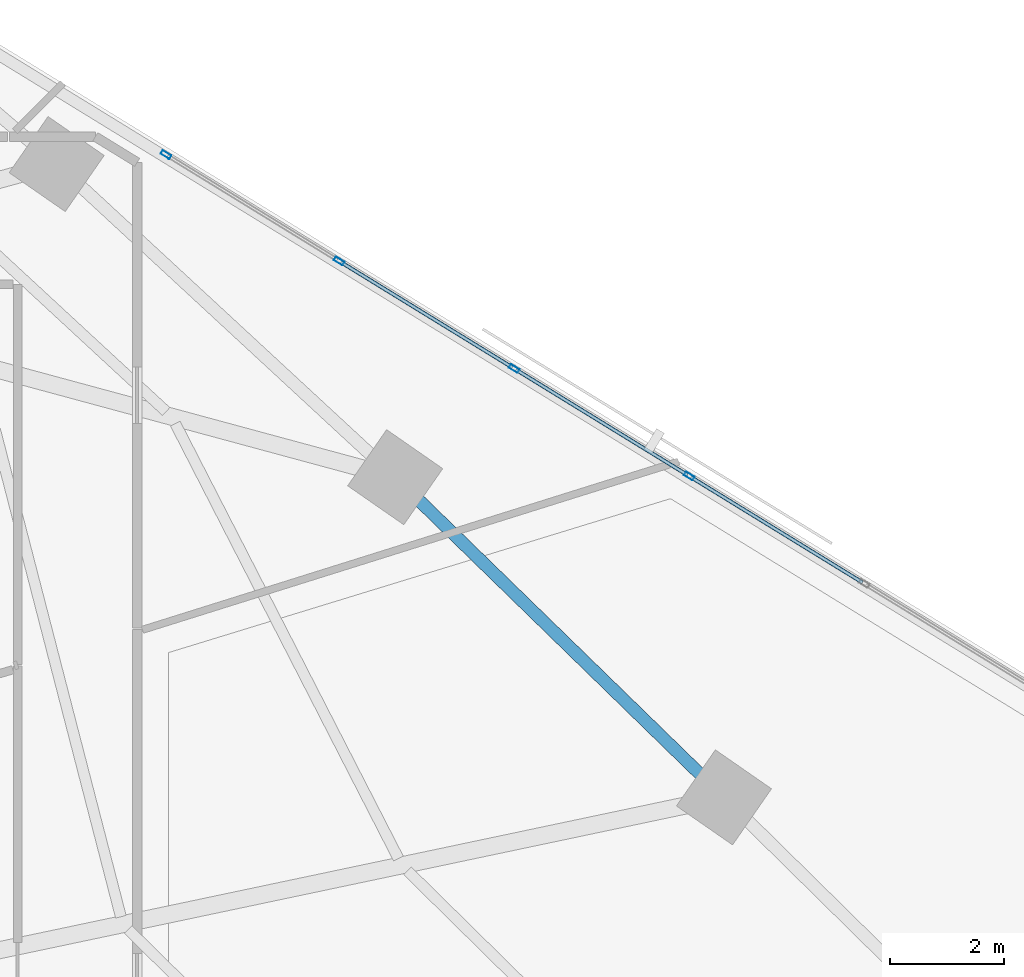
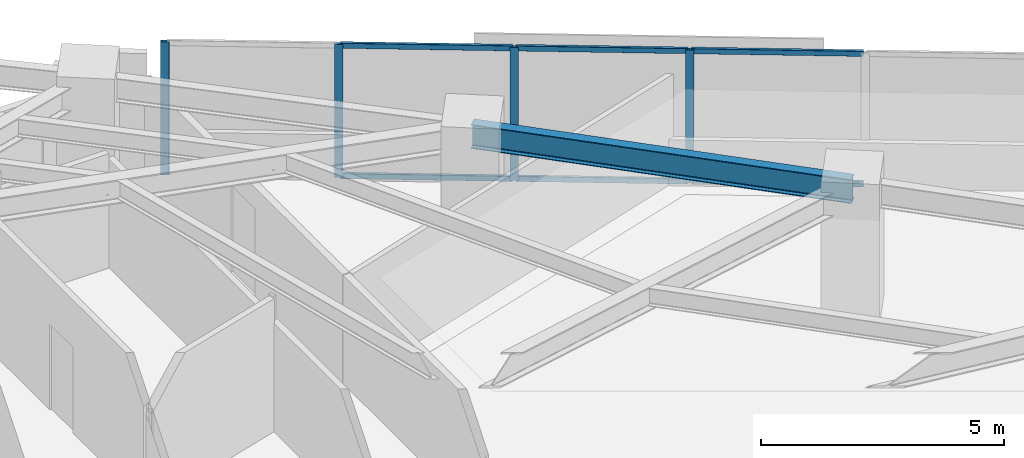
# One storey, part 6 of 19: 10 members, 1 beam, 1 element without a shape of its own.
"""IFC4 building model written with IfcOpenShell, lengths in metres."""

from ifc_helpers import new_model, si_unit, direction, frame, origin, origin_2d, place, context, subcontext, project, spatial, hollow_rectangle, i_section, extrude, material, material_profile, profile_set, type_object, element, aggregate, save


model = new_model("IFC4")

# Units and contexts
model_context = context("Model", 3, precision=1e-05, world=origin(), true_north=direction((0.0, 1.0)))
body_context = subcontext(model_context, "Body", "Model", "MODEL_VIEW")
ifc_project = project(units=[si_unit("LENGTHUNIT", "METRE"), si_unit("AREAUNIT", "SQUARE_METRE"), si_unit("VOLUMEUNIT", "CUBIC_METRE"), si_unit("PLANEANGLEUNIT", "RADIAN"), si_unit("MASSUNIT", "GRAM", prefix="KILO")], contexts=[model_context])

# Site, building, storey
site_placement = place(None, origin())
site = spatial("IfcSite", under=ifc_project, at=site_placement, CompositionType="ELEMENT")
building_placement = place(site_placement, origin())
building = spatial("IfcBuilding", under=site, at=building_placement, Name="Narakoshi Arena Tower", CompositionType="ELEMENT")
storey_placement = place(building_placement, frame((0.0, 0.0, 117.300048828125)))
storey = spatial("IfcBuildingStorey", under=building, at=storey_placement, Name="L31", CompositionType="ELEMENT", Elevation=117.300048828125)

# Beam
ifc_material_1 = material(Name="Structural steel S355J2", Category="steel")
ifc_material_profile_1 = material_profile(ifc_material_1, i_section(OverallWidth=0.219970703125, OverallDepth=0.60009765625, WebThickness=0.011962890625, FlangeThickness=0.01904296875, FilletRadius=0.02392578125, at=origin_2d()), Name="IPE600")
ifc_profile_set_1 = profile_set([ifc_material_profile_1], Name="Structural steel S355J2")
beam_type = type_object("IfcBeamType", Name="BM-EDGE-600", PredefinedType="BEAM", material=ifc_profile_set_1)
beam_placement = place(storey_placement, frame((104.42041015625, 47.33056640625, 3.0400390625), z_axis=(-0.71641187053, 0.697677598726, 0.0), x_axis=(-0.697677598726, -0.71641187053, 0.0)))
element("IfcBeam", 1, at=beam_placement, inside=storey, type_object=beam_type, Name="L31 Perimeter Edge Girder 05", PredefinedType="BEAM", context=body_context, shape_type="SweptSolid", body=[
    extrude(i_section(OverallWidth=0.219970703125, OverallDepth=0.60009765625, WebThickness=0.011962890625, FlangeThickness=0.01904296875, FilletRadius=0.02392578125, at=origin_2d()), origin(), (0.0, 0.0, 1.0), 8.066650390625),
])

# Curtain wall, members
ifc_material_2 = material(Name="Anodised bronze aluminium 6063-T6", Category="aluminium")
curtain_wall_type = type_object("IfcCurtainWallType", Name="CW-HYP-LOW", PredefinedType="NOTDEFINED", material=ifc_material_2)
curtain_wall_placement = place(storey_placement, origin())
curtain_wall = element("IfcCurtainWall", 2, at=curtain_wall_placement, inside=storey, type_object=curtain_wall_type, Name="L31 Folded Hypotenuse Curtain Wall 1-1", PredefinedType="NOTDEFINED")
ifc_material_profile_2 = material_profile(ifc_material_2, hollow_rectangle(XDim=0.074951171875, YDim=0.179931640625, WallThickness=0.00390625, OuterFilletRadius=0.0048828125, at=origin_2d()), Name="MUL180x75x4")
ifc_profile_set_2 = profile_set([ifc_material_profile_2], Name="Anodised bronze aluminium 6063-T6")
member_type_1 = type_object("IfcMemberType", Name="MEM-MUL-180", PredefinedType="MULLION", material=ifc_profile_set_2)
member_1_placement = place(storey_placement, frame((103.81005859375, 52.97802734375, 0.0), z_axis=(0.0, 0.0, 1.0), x_axis=(-0.523357676535, -0.852113104237, 0.0)))
member_1 = element("IfcMember", 3, at=member_1_placement, type_object=member_type_1, Name="CW-01 mullion 6", PredefinedType="MULLION", context=body_context, shape_type="SweptSolid", body=[
    extrude(hollow_rectangle(XDim=0.074951171875, YDim=0.179931640625, WallThickness=0.00390625, OuterFilletRadius=0.0048828125, at=origin_2d()), origin(), (0.0, 0.0, 1.0), 3.33984375),
])
member_2_placement = place(storey_placement, frame((100.733154296875, 54.86767578125, 0.0), z_axis=(0.0, 0.0, 1.0), x_axis=(-0.523357676535, -0.852113104237, 0.0)))
member_2 = element("IfcMember", 4, at=member_2_placement, type_object=member_type_1, Name="CW-01 mullion 7", PredefinedType="MULLION", context=body_context, shape_type="SweptSolid", body=[
    extrude(hollow_rectangle(XDim=0.074951171875, YDim=0.179931640625, WallThickness=0.00390625, OuterFilletRadius=0.0048828125, at=origin_2d()), origin(), (0.0, 0.0, 1.0), 3.33984375),
])
member_3_placement = place(storey_placement, frame((97.65625, 56.757568359375, 0.0), z_axis=(0.0, 0.0, 1.0), x_axis=(-0.523357676535, -0.852113104237, 0.0)))
member_3 = element("IfcMember", 5, at=member_3_placement, type_object=member_type_1, Name="CW-01 mullion 8", PredefinedType="MULLION", context=body_context, shape_type="SweptSolid", body=[
    extrude(hollow_rectangle(XDim=0.074951171875, YDim=0.179931640625, WallThickness=0.00390625, OuterFilletRadius=0.0048828125, at=origin_2d()), origin(), (0.0, 0.0, 1.0), 3.33984375),
])
member_4_placement = place(storey_placement, frame((94.611328125, 58.627685546875, 0.0), z_axis=(0.0, 0.0, 1.0), x_axis=(-0.523357676535, -0.852113104237, 0.0)))
member_4 = element("IfcMember", 6, at=member_4_placement, type_object=member_type_1, Name="CW-01 mullion 9", PredefinedType="MULLION", context=body_context, shape_type="SweptSolid", body=[
    extrude(hollow_rectangle(XDim=0.074951171875, YDim=0.179931640625, WallThickness=0.00390625, OuterFilletRadius=0.0048828125, at=origin_2d()), origin(), (0.0, 0.0, 1.0), 3.33984375),
])
ifc_material_profile_3 = material_profile(ifc_material_2, hollow_rectangle(XDim=0.06494140625, YDim=0.1298828125, WallThickness=0.00390625, OuterFilletRadius=0.0048828125, at=origin_2d()), Name="TRN130x65x4")
ifc_profile_set_3 = profile_set([ifc_material_profile_3], Name="Anodised bronze aluminium 6063-T6")
member_type_2 = type_object("IfcMemberType", Name="MEM-TRN-130", PredefinedType="USERDEFINED", material=ifc_profile_set_3)
member_5_placement = place(storey_placement, frame((106.85498046875, 51.107666015625, 0.032470703125), z_axis=(-0.852103699909, 0.523372988032, 0.0), x_axis=(-0.523372988032, -0.852103699909, 0.0)))
member_5 = element("IfcMember", 7, at=member_5_placement, type_object=member_type_2, Name="CW-01 transom 5.1", ObjectType="TRANSOM", PredefinedType="USERDEFINED", context=body_context, shape_type="SweptSolid", body=[
    extrude(hollow_rectangle(XDim=0.06494140625, YDim=0.1298828125, WallThickness=0.00390625, OuterFilletRadius=0.0048828125, at=origin_2d()), origin(), (0.0, 0.0, 1.0), 3.535888671875),
])
member_6_placement = place(storey_placement, frame((106.85498046875, 51.107666015625, 3.307373046875), z_axis=(-0.852103699909, 0.523372988032, 0.0), x_axis=(-0.523372988032, -0.852103699909, 0.0)))
member_6 = element("IfcMember", 8, at=member_6_placement, type_object=member_type_2, Name="CW-01 transom 5.2", ObjectType="TRANSOM", PredefinedType="USERDEFINED", context=body_context, shape_type="SweptSolid", body=[
    extrude(hollow_rectangle(XDim=0.06494140625, YDim=0.1298828125, WallThickness=0.00390625, OuterFilletRadius=0.0048828125, at=origin_2d()), origin(), (0.0, 0.0, 1.0), 3.535888671875),
])
member_7_placement = place(storey_placement, frame((103.778076171875, 52.99755859375, 0.032470703125), z_axis=(-0.852103699909, 0.523372988032, 0.0), x_axis=(-0.523372988032, -0.852103699909, 0.0)))
member_7 = element("IfcMember", 9, at=member_7_placement, type_object=member_type_2, Name="CW-01 transom 6.1", ObjectType="TRANSOM", PredefinedType="USERDEFINED", context=body_context, shape_type="SweptSolid", body=[
    extrude(hollow_rectangle(XDim=0.06494140625, YDim=0.1298828125, WallThickness=0.00390625, OuterFilletRadius=0.0048828125, at=origin_2d()), origin(), (0.0, 0.0, 1.0), 3.535888671875),
])
member_8_placement = place(storey_placement, frame((103.778076171875, 52.99755859375, 3.307373046875), z_axis=(-0.852103699909, 0.523372988032, 0.0), x_axis=(-0.523372988032, -0.852103699909, 0.0)))
member_8 = element("IfcMember", 10, at=member_8_placement, type_object=member_type_2, Name="CW-01 transom 6.2", ObjectType="TRANSOM", PredefinedType="USERDEFINED", context=body_context, shape_type="SweptSolid", body=[
    extrude(hollow_rectangle(XDim=0.06494140625, YDim=0.1298828125, WallThickness=0.00390625, OuterFilletRadius=0.0048828125, at=origin_2d()), origin(), (0.0, 0.0, 1.0), 3.535888671875),
])
member_9_placement = place(storey_placement, frame((100.701171875, 54.887451171875, 0.032470703125), z_axis=(-0.852134492111, 0.523322851933, 0.0), x_axis=(-0.523322851933, -0.852134492111, 0.0)))
member_9 = element("IfcMember", 11, at=member_9_placement, type_object=member_type_2, Name="CW-01 transom 7.1", ObjectType="TRANSOM", PredefinedType="USERDEFINED", context=body_context, shape_type="SweptSolid", body=[
    extrude(hollow_rectangle(XDim=0.06494140625, YDim=0.1298828125, WallThickness=0.00390625, OuterFilletRadius=0.0048828125, at=origin_2d()), origin(), (0.0, 0.0, 1.0), 3.53564453125),
])
member_10_placement = place(storey_placement, frame((100.701171875, 54.887451171875, 3.307373046875), z_axis=(-0.852134492111, 0.523322851933, 0.0), x_axis=(-0.523322851933, -0.852134492111, 0.0)))
member_10 = element("IfcMember", 12, at=member_10_placement, type_object=member_type_2, Name="CW-01 transom 7.2", ObjectType="TRANSOM", PredefinedType="USERDEFINED", context=body_context, shape_type="SweptSolid", body=[
    extrude(hollow_rectangle(XDim=0.06494140625, YDim=0.1298828125, WallThickness=0.00390625, OuterFilletRadius=0.0048828125, at=origin_2d()), origin(), (0.0, 0.0, 1.0), 3.53564453125),
])
aggregate(curtain_wall, [member_1, member_2, member_3, member_4, member_5, member_6, member_7, member_8, member_9, member_10])

save(model, "model.ifc")
